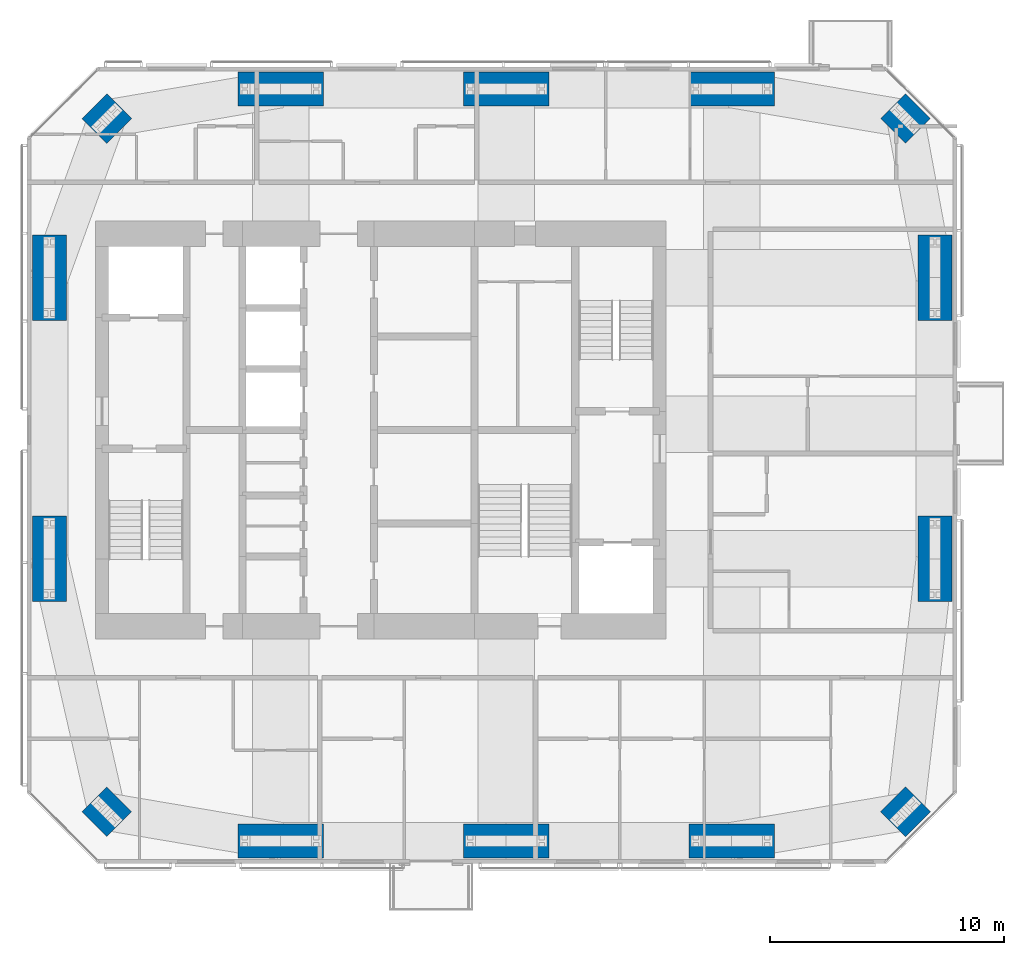
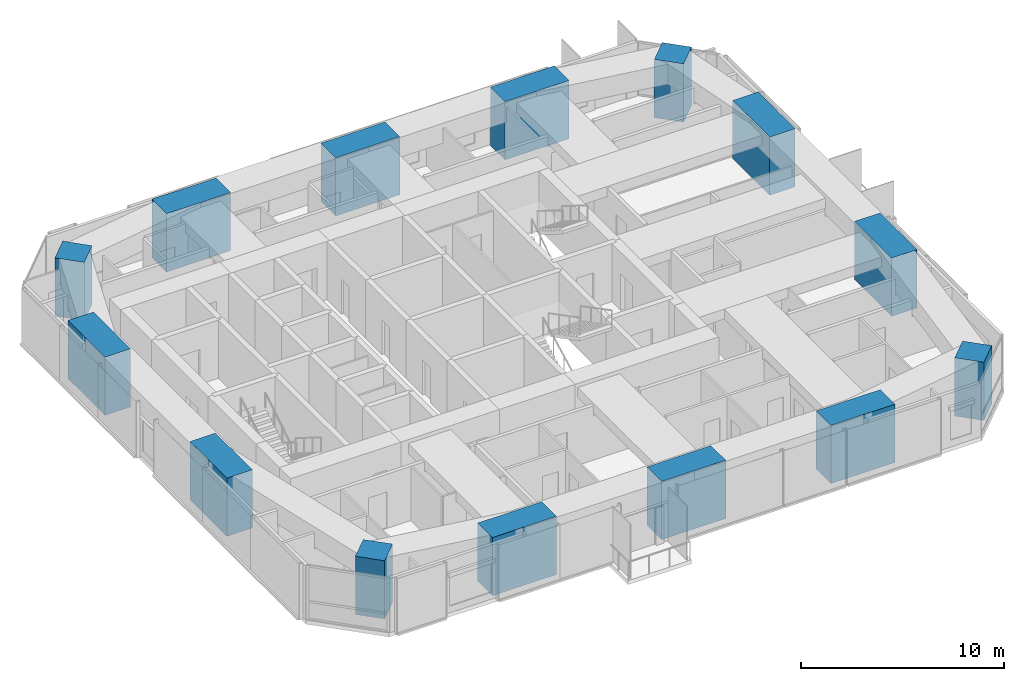
# One storey, part 1 of 18: 14 columns.
"""IFC4 building model written with IfcOpenShell, lengths in metres."""

from ifc_helpers import new_model, si_unit, direction, frame, origin, origin_2d, place, context, subcontext, project, spatial, rectangle, extrude, material, material_profile, profile_set, type_object, element, save


model = new_model("IFC4")

# Units and contexts
model_context = context("Model", 3, precision=1e-05, world=origin(), true_north=direction((0.0, 1.0)))
body_context = subcontext(model_context, "Body", "Model", "MODEL_VIEW")
ifc_project = project(units=[si_unit("LENGTHUNIT", "METRE"), si_unit("AREAUNIT", "SQUARE_METRE"), si_unit("VOLUMEUNIT", "CUBIC_METRE"), si_unit("PLANEANGLEUNIT", "RADIAN"), si_unit("MASSUNIT", "GRAM", prefix="KILO")], contexts=[model_context])

# Site, building, storey
site_placement = place(None, origin())
site = spatial("IfcSite", under=ifc_project, at=site_placement, CompositionType="ELEMENT")
building_placement = place(site_placement, origin())
building = spatial("IfcBuilding", under=site, at=building_placement, Name="Jalousie Tower", CompositionType="ELEMENT")
storey_placement = place(building_placement, frame((0.0, 0.0, 235.449951171875)))
storey = spatial("IfcBuildingStorey", under=building, at=storey_placement, Name="L64", CompositionType="ELEMENT", Elevation=235.449951171875)

# Columns
ifc_material_1 = material(Name="Concrete f'c 120 MPa", Category="concrete")
ifc_material_profile_1 = material_profile(ifc_material_1, rectangle(XDim=1.449951171875, YDim=3.64990234375, at=origin_2d()), Name="RC 1450x3650")
ifc_profile_set_1 = profile_set([ifc_material_profile_1], Name="Concrete f'c 120 MPa")
column_type_1 = type_object("IfcColumnType", Name="RC COLUMN 1450x3650", PredefinedType="COLUMN", material=ifc_profile_set_1)
for number, where, z_axis, x_axis, name in (
    (1, (27.625, 0.949951171875, 0.0), (0.0, 0.0, 1.0), (0.0, 1.0, 0.0), "Column 02 L64"),
    (2, (37.25, 0.949951171875, 0.0), (0.0, 0.0, 1.0), (0.0, 1.0, 0.0), "Column 03 L64"),
    (3, (46.875, 0.949951171875, 0.0), (0.0, 0.0, 1.0), (0.0, 1.0, 0.0), "Column 04 L64"),
    (4, (55.550048828125, 13.0, 0.0), (0.0, 0.0, 1.0), (1.0, 0.0, 0.0), "Column 06 L64"),
    (5, (55.550048828125, 25.0, 0.0), (0.0, 0.0, 1.0), (1.0, 0.0, 0.0), "Column 07 L64"),
    (6, (46.875, 33.050048828125, 0.0), (0.0, 0.0, 1.0), (0.0, 1.0, 0.0), "Column 09 L64"),
    (7, (37.25, 33.050048828125, 0.0), (0.0, 0.0, 1.0), (0.0, 1.0, 0.0), "Column 10 L64"),
    (8, (27.625, 33.050048828125, 0.0), (0.0, 0.0, 1.0), (0.0, 1.0, 0.0), "Column 11 L64"),
    (9, (17.75, 25.0, 0.0), (0.0, 0.0, 1.0), (1.0, 0.0, 0.0), "Column 13 L64"),
    (10, (17.75, 13.0, 0.0), (0.0, 0.0, 1.0), (1.0, 0.0, 0.0), "Column 14 L64"),
):
    element("IfcColumn", number, at=place(storey_placement, frame(where, z_axis=z_axis, x_axis=x_axis)), inside=storey, type_object=column_type_1, Name=name, PredefinedType="COLUMN", context=body_context, shape_type="SweptSolid", body=[
        extrude(rectangle(XDim=1.449951171875, YDim=3.64990234375, at=origin_2d()), origin(), (0.0, 0.0, 1.0), 3.5),
    ])
ifc_material_2 = material(Name="Concrete f'c 120 MPa", Category="concrete")
ifc_material_profile_2 = material_profile(ifc_material_2, rectangle(XDim=1.5, YDim=1.5, at=origin_2d()), Name="RC 1500x1500")
ifc_profile_set_2 = profile_set([ifc_material_profile_2], Name="Concrete f'c 120 MPa")
column_type_2 = type_object("IfcColumnType", Name="RC COLUMN 1500x1500", PredefinedType="COLUMN", material=ifc_profile_set_2)
for number, where, z_axis, x_axis, name in (
    (11, (20.20703125, 2.20703125, 0.0), (0.0, 0.0, 1.0), (0.707106781187, 0.707106781187, 0.0), "Column 01 L64"),
    (12, (54.29296875, 2.20703125, 0.0), (0.0, 0.0, 1.0), (0.707106781187, 0.707106781187, 0.0), "Column 05 L64"),
    (13, (54.29296875, 31.79296875, 0.0), (0.0, 0.0, 1.0), (0.707106781187, 0.707106781187, 0.0), "Column 08 L64"),
    (14, (20.20703125, 31.79296875, 0.0), (0.0, 0.0, 1.0), (0.707106781187, 0.707106781187, 0.0), "Column 12 L64"),
):
    element("IfcColumn", number, at=place(storey_placement, frame(where, z_axis=z_axis, x_axis=x_axis)), inside=storey, type_object=column_type_2, Name=name, PredefinedType="COLUMN", context=body_context, shape_type="SweptSolid", body=[
        extrude(rectangle(XDim=1.5, YDim=1.5, at=origin_2d()), origin(), (0.0, 0.0, 1.0), 3.5),
    ])

save(model, "model.ifc")
